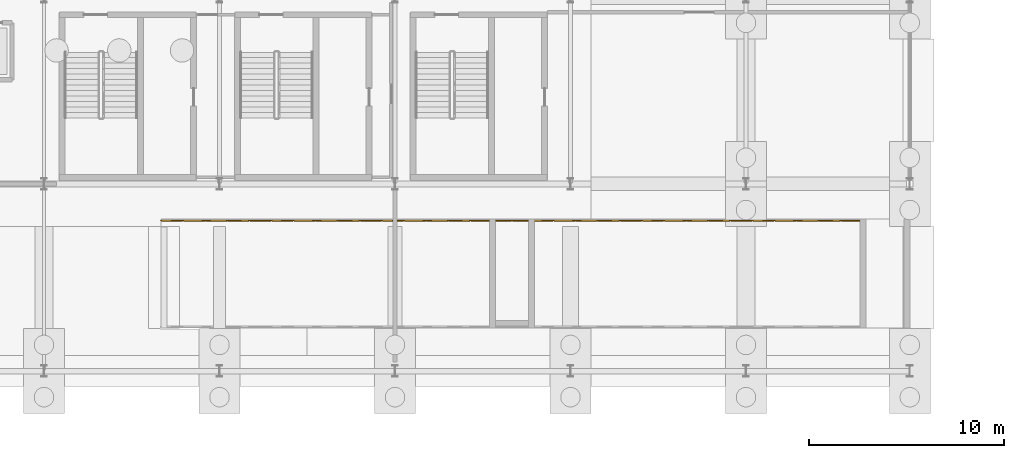
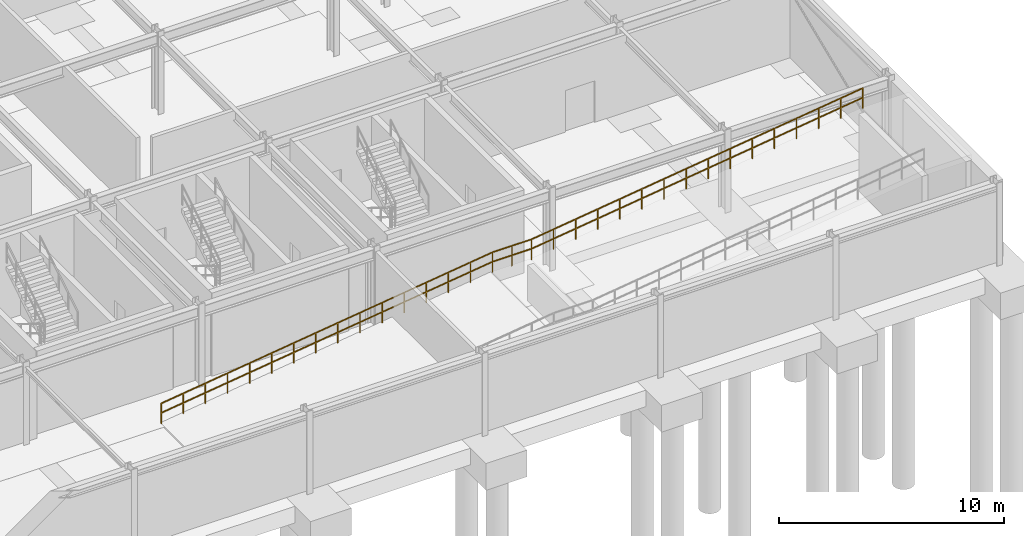
# One storey, part 55 of 59: 1 railing.
"""IFC4 building model written with IfcOpenShell, lengths in metres."""

from ifc_helpers import new_model, si_unit, direction, frame, origin, origin_2d, place, context, subcontext, project, spatial, rectangle, extrude, material, type_object, element, save


model = new_model("IFC4")

# Units and contexts
model_context = context("Model", 3, precision=1e-05, world=origin(), true_north=direction((0.0, 1.0)))
body_context = subcontext(model_context, "Body", "Model", "MODEL_VIEW")
ifc_project = project(units=[si_unit("LENGTHUNIT", "METRE"), si_unit("AREAUNIT", "SQUARE_METRE"), si_unit("VOLUMEUNIT", "CUBIC_METRE"), si_unit("PLANEANGLEUNIT", "RADIAN"), si_unit("MASSUNIT", "GRAM", prefix="KILO")], contexts=[model_context])

# Site, building, storey
site_placement = place(None, origin())
site = spatial("IfcSite", under=ifc_project, at=site_placement, CompositionType="ELEMENT")
building_placement = place(site_placement, origin())
building = spatial("IfcBuilding", under=site, at=building_placement, Name="Myrtia Square Station", CompositionType="ELEMENT")
storey_placement = place(building_placement, frame((0.0, 0.0, -4.5)))
storey = spatial("IfcBuildingStorey", under=building, at=storey_placement, Name="B01", CompositionType="ELEMENT", Elevation=-4.5)

# Railing
ifc_material = material(Name="Wrought iron", Category="steel")
railing_type = type_object("IfcRailingType", Name="RL-INT-GUARD-1100", PredefinedType="BALUSTRADE", material=ifc_material)
railing_placement = place(storey_placement, frame((141.0, 7.719970703125, 0.0)))
element("IfcRailing", 1, at=railing_placement, inside=storey, type_object=railing_type, Name="Vehicle ramp VR1 side guard N", PredefinedType="BALUSTRADE", context=body_context, shape_type="SweptSolid", body=[
    extrude(rectangle(XDim=0.048095703125, YDim=0.048095703125, at=origin_2d()), frame((0.034423828125, 0.0, 1.1005859375), z_axis=(0.99135476599, 0.0, 0.131208719028), x_axis=(0.0, 1.0, 0.0)), (0.0, 0.0, 1.0), 1.073974609375),
    extrude(rectangle(XDim=0.048095703125, YDim=0.048095703125, at=origin_2d()), frame((0.034423828125, 0.0, 0.5869140625), z_axis=(0.99135476599, 0.0, 0.131208719028), x_axis=(0.0, 1.0, 0.0)), (0.0, 0.0, 1.0), 1.073974609375),
    extrude(rectangle(XDim=0.048095703125, YDim=0.048095703125, at=origin_2d()), frame((1.167724609375, 0.0, 1.250732421875), z_axis=(0.99135476599, 0.0, 0.131208719028), x_axis=(0.0, 1.0, 0.0)), (0.0, 0.0, 1.0), 1.073974609375),
    extrude(rectangle(XDim=0.048095703125, YDim=0.048095703125, at=origin_2d()), frame((1.167724609375, 0.0, 0.737060546875), z_axis=(0.99135476599, 0.0, 0.131208719028), x_axis=(0.0, 1.0, 0.0)), (0.0, 0.0, 1.0), 1.073974609375),
    extrude(rectangle(XDim=0.048095703125, YDim=0.048095703125, at=origin_2d()), frame((2.301025390625, 0.0, 1.400634765625), z_axis=(0.99135476599, 0.0, 0.131208719028), x_axis=(0.0, 1.0, 0.0)), (0.0, 0.0, 1.0), 1.073974609375),
    extrude(rectangle(XDim=0.048095703125, YDim=0.048095703125, at=origin_2d()), frame((2.301025390625, 0.0, 0.886962890625), z_axis=(0.99135476599, 0.0, 0.131208719028), x_axis=(0.0, 1.0, 0.0)), (0.0, 0.0, 1.0), 1.073974609375),
    extrude(rectangle(XDim=0.048095703125, YDim=0.048095703125, at=origin_2d()), frame((3.434326171875, 0.0, 1.550537109375), z_axis=(0.99135476599, 0.0, 0.131208719028), x_axis=(0.0, 1.0, 0.0)), (0.0, 0.0, 1.0), 1.073974609375),
    extrude(rectangle(XDim=0.048095703125, YDim=0.048095703125, at=origin_2d()), frame((3.434326171875, 0.0, 1.037109375), z_axis=(0.99135476599, 0.0, 0.131208719028), x_axis=(0.0, 1.0, 0.0)), (0.0, 0.0, 1.0), 1.073974609375),
    extrude(rectangle(XDim=0.048095703125, YDim=0.048095703125, at=origin_2d()), frame((4.567626953125, 0.0, 1.70068359375), z_axis=(0.99135476599, 0.0, 0.131208719028), x_axis=(0.0, 1.0, 0.0)), (0.0, 0.0, 1.0), 1.073974609375),
    extrude(rectangle(XDim=0.048095703125, YDim=0.048095703125, at=origin_2d()), frame((4.567626953125, 0.0, 1.18701171875), z_axis=(0.99135476599, 0.0, 0.131208719028), x_axis=(0.0, 1.0, 0.0)), (0.0, 0.0, 1.0), 1.073974609375),
    extrude(rectangle(XDim=0.048095703125, YDim=0.048095703125, at=origin_2d()), frame((5.700927734375, 0.0, 1.8505859375), z_axis=(0.99135476599, 0.0, 0.131208719028), x_axis=(0.0, 1.0, 0.0)), (0.0, 0.0, 1.0), 1.073974609375),
    extrude(rectangle(XDim=0.048095703125, YDim=0.048095703125, at=origin_2d()), frame((5.700927734375, 0.0, 1.3369140625), z_axis=(0.99135476599, 0.0, 0.131208719028), x_axis=(0.0, 1.0, 0.0)), (0.0, 0.0, 1.0), 1.073974609375),
    extrude(rectangle(XDim=0.048095703125, YDim=0.048095703125, at=origin_2d()), frame((6.834228515625, 0.0, 2.000732421875), z_axis=(0.99135476599, 0.0, 0.131208719028), x_axis=(0.0, 1.0, 0.0)), (0.0, 0.0, 1.0), 1.073974609375),
    extrude(rectangle(XDim=0.048095703125, YDim=0.048095703125, at=origin_2d()), frame((6.834228515625, 0.0, 1.487060546875), z_axis=(0.99135476599, 0.0, 0.131208719028), x_axis=(0.0, 1.0, 0.0)), (0.0, 0.0, 1.0), 1.073974609375),
    extrude(rectangle(XDim=0.048095703125, YDim=0.048095703125, at=origin_2d()), frame((7.9677734375, 0.0, 2.150634765625), z_axis=(0.99135476599, 0.0, 0.131208719028), x_axis=(0.0, 1.0, 0.0)), (0.0, 0.0, 1.0), 1.073974609375),
    extrude(rectangle(XDim=0.048095703125, YDim=0.048095703125, at=origin_2d()), frame((7.9677734375, 0.0, 1.636962890625), z_axis=(0.99135476599, 0.0, 0.131208719028), x_axis=(0.0, 1.0, 0.0)), (0.0, 0.0, 1.0), 1.073974609375),
    extrude(rectangle(XDim=0.048095703125, YDim=0.048095703125, at=origin_2d()), frame((9.10107421875, 0.0, 2.300537109375), z_axis=(0.99135476599, 0.0, 0.131208719028), x_axis=(0.0, 1.0, 0.0)), (0.0, 0.0, 1.0), 1.073974609375),
    extrude(rectangle(XDim=0.048095703125, YDim=0.048095703125, at=origin_2d()), frame((9.10107421875, 0.0, 1.787109375), z_axis=(0.99135476599, 0.0, 0.131208719028), x_axis=(0.0, 1.0, 0.0)), (0.0, 0.0, 1.0), 1.073974609375),
    extrude(rectangle(XDim=0.048095703125, YDim=0.048095703125, at=origin_2d()), frame((10.234375, 0.0, 2.45068359375), z_axis=(0.99135476599, 0.0, 0.131208719028), x_axis=(0.0, 1.0, 0.0)), (0.0, 0.0, 1.0), 1.073974609375),
    extrude(rectangle(XDim=0.048095703125, YDim=0.048095703125, at=origin_2d()), frame((10.234375, 0.0, 1.93701171875), z_axis=(0.99135476599, 0.0, 0.131208719028), x_axis=(0.0, 1.0, 0.0)), (0.0, 0.0, 1.0), 1.073974609375),
    extrude(rectangle(XDim=0.048095703125, YDim=0.048095703125, at=origin_2d()), frame((11.36767578125, 0.0, 2.6005859375), z_axis=(0.99135476599, 0.0, 0.131208719028), x_axis=(0.0, 1.0, 0.0)), (0.0, 0.0, 1.0), 1.073974609375),
    extrude(rectangle(XDim=0.048095703125, YDim=0.048095703125, at=origin_2d()), frame((11.36767578125, 0.0, 2.0869140625), z_axis=(0.99135476599, 0.0, 0.131208719028), x_axis=(0.0, 1.0, 0.0)), (0.0, 0.0, 1.0), 1.073974609375),
    extrude(rectangle(XDim=0.048095703125, YDim=0.048095703125, at=origin_2d()), frame((12.5009765625, 0.0, 2.750732421875), z_axis=(0.99135476599, 0.0, 0.131208719028), x_axis=(0.0, 1.0, 0.0)), (0.0, 0.0, 1.0), 1.073974609375),
    extrude(rectangle(XDim=0.048095703125, YDim=0.048095703125, at=origin_2d()), frame((12.5009765625, 0.0, 2.237060546875), z_axis=(0.99135476599, 0.0, 0.131208719028), x_axis=(0.0, 1.0, 0.0)), (0.0, 0.0, 1.0), 1.073974609375),
    extrude(rectangle(XDim=0.048095703125, YDim=0.048095703125, at=origin_2d()), frame((13.63427734375, 0.0, 2.900634765625), z_axis=(0.99135476599, 0.0, 0.131208719028), x_axis=(0.0, 1.0, 0.0)), (0.0, 0.0, 1.0), 1.073974609375),
    extrude(rectangle(XDim=0.048095703125, YDim=0.048095703125, at=origin_2d()), frame((13.63427734375, 0.0, 2.386962890625), z_axis=(0.99135476599, 0.0, 0.131208719028), x_axis=(0.0, 1.0, 0.0)), (0.0, 0.0, 1.0), 1.073974609375),
    extrude(rectangle(XDim=0.048095703125, YDim=0.048095703125, at=origin_2d()), frame((14.767578125, 0.0, 3.050537109375), z_axis=(0.99135476599, 0.0, 0.131208719028), x_axis=(0.0, 1.0, 0.0)), (0.0, 0.0, 1.0), 1.073974609375),
    extrude(rectangle(XDim=0.048095703125, YDim=0.048095703125, at=origin_2d()), frame((14.767578125, 0.0, 2.537109375), z_axis=(0.99135476599, 0.0, 0.131208719028), x_axis=(0.0, 1.0, 0.0)), (0.0, 0.0, 1.0), 1.073974609375),
    extrude(rectangle(XDim=0.048095703125, YDim=0.048095703125, at=origin_2d()), frame((15.901123046875, 0.0, 3.20068359375), z_axis=(0.99135476599, 0.0, 0.131208719028), x_axis=(0.0, 1.0, 0.0)), (0.0, 0.0, 1.0), 1.073974609375),
    extrude(rectangle(XDim=0.048095703125, YDim=0.048095703125, at=origin_2d()), frame((15.901123046875, 0.0, 2.68701171875), z_axis=(0.99135476599, 0.0, 0.131208719028), x_axis=(0.0, 1.0, 0.0)), (0.0, 0.0, 1.0), 1.073974609375),
    extrude(rectangle(XDim=0.048095703125, YDim=0.048095703125, at=origin_2d()), frame((17.03466796875, 0.0, 3.34619140625), z_axis=(1.0, 0.0, 0.0), x_axis=(0.0, 1.0, 0.0)), (0.0, 0.0, 1.0), 0.9306640625),
    extrude(rectangle(XDim=0.048095703125, YDim=0.048095703125, at=origin_2d()), frame((17.03466796875, 0.0, 2.83251953125), z_axis=(1.0, 0.0, 0.0), x_axis=(0.0, 1.0, 0.0)), (0.0, 0.0, 1.0), 0.9306640625),
    extrude(rectangle(XDim=0.048095703125, YDim=0.048095703125, at=origin_2d()), frame((18.03466796875, 0.0, 3.34619140625), z_axis=(1.0, 0.0, 0.0), x_axis=(0.0, 1.0, 0.0)), (0.0, 0.0, 1.0), 0.9306640625),
    extrude(rectangle(XDim=0.048095703125, YDim=0.048095703125, at=origin_2d()), frame((18.03466796875, 0.0, 2.83251953125), z_axis=(1.0, 0.0, 0.0), x_axis=(0.0, 1.0, 0.0)), (0.0, 0.0, 1.0), 0.9306640625),
    extrude(rectangle(XDim=0.048095703125, YDim=0.048095703125, at=origin_2d()), frame((19.034423828125, 0.0, 3.3505859375), z_axis=(0.99135476599, 0.0, 0.131208719028), x_axis=(0.0, 1.0, 0.0)), (0.0, 0.0, 1.0), 1.073974609375),
    extrude(rectangle(XDim=0.048095703125, YDim=0.048095703125, at=origin_2d()), frame((19.034423828125, 0.0, 2.8369140625), z_axis=(0.99135476599, 0.0, 0.131208719028), x_axis=(0.0, 1.0, 0.0)), (0.0, 0.0, 1.0), 1.073974609375),
    extrude(rectangle(XDim=0.048095703125, YDim=0.048095703125, at=origin_2d()), frame((20.167724609375, 0.0, 3.500732421875), z_axis=(0.99135476599, 0.0, 0.131208719028), x_axis=(0.0, 1.0, 0.0)), (0.0, 0.0, 1.0), 1.073974609375),
    extrude(rectangle(XDim=0.048095703125, YDim=0.048095703125, at=origin_2d()), frame((20.167724609375, 0.0, 2.987060546875), z_axis=(0.99135476599, 0.0, 0.131208719028), x_axis=(0.0, 1.0, 0.0)), (0.0, 0.0, 1.0), 1.073974609375),
    extrude(rectangle(XDim=0.048095703125, YDim=0.048095703125, at=origin_2d()), frame((21.301025390625, 0.0, 3.650634765625), z_axis=(0.99135476599, 0.0, 0.131208719028), x_axis=(0.0, 1.0, 0.0)), (0.0, 0.0, 1.0), 1.073974609375),
    extrude(rectangle(XDim=0.048095703125, YDim=0.048095703125, at=origin_2d()), frame((21.301025390625, 0.0, 3.136962890625), z_axis=(0.99135476599, 0.0, 0.131208719028), x_axis=(0.0, 1.0, 0.0)), (0.0, 0.0, 1.0), 1.073974609375),
    extrude(rectangle(XDim=0.048095703125, YDim=0.048095703125, at=origin_2d()), frame((22.434326171875, 0.0, 3.800537109375), z_axis=(0.99135476599, 0.0, 0.131208719028), x_axis=(0.0, 1.0, 0.0)), (0.0, 0.0, 1.0), 1.073974609375),
    extrude(rectangle(XDim=0.048095703125, YDim=0.048095703125, at=origin_2d()), frame((22.434326171875, 0.0, 3.287109375), z_axis=(0.99135476599, 0.0, 0.131208719028), x_axis=(0.0, 1.0, 0.0)), (0.0, 0.0, 1.0), 1.073974609375),
    extrude(rectangle(XDim=0.048095703125, YDim=0.048095703125, at=origin_2d()), frame((23.567626953125, 0.0, 3.95068359375), z_axis=(0.99135476599, 0.0, 0.131208719028), x_axis=(0.0, 1.0, 0.0)), (0.0, 0.0, 1.0), 1.073974609375),
    extrude(rectangle(XDim=0.048095703125, YDim=0.048095703125, at=origin_2d()), frame((23.567626953125, 0.0, 3.43701171875), z_axis=(0.99135476599, 0.0, 0.131208719028), x_axis=(0.0, 1.0, 0.0)), (0.0, 0.0, 1.0), 1.073974609375),
    extrude(rectangle(XDim=0.048095703125, YDim=0.048095703125, at=origin_2d()), frame((24.700927734375, 0.0, 4.1005859375), z_axis=(0.99135476599, 0.0, 0.131208719028), x_axis=(0.0, 1.0, 0.0)), (0.0, 0.0, 1.0), 1.073974609375),
    extrude(rectangle(XDim=0.048095703125, YDim=0.048095703125, at=origin_2d()), frame((24.700927734375, 0.0, 3.5869140625), z_axis=(0.99135476599, 0.0, 0.131208719028), x_axis=(0.0, 1.0, 0.0)), (0.0, 0.0, 1.0), 1.073974609375),
    extrude(rectangle(XDim=0.048095703125, YDim=0.048095703125, at=origin_2d()), frame((25.834228515625, 0.0, 4.250732421875), z_axis=(0.99135476599, 0.0, 0.131208719028), x_axis=(0.0, 1.0, 0.0)), (0.0, 0.0, 1.0), 1.073974609375),
    extrude(rectangle(XDim=0.048095703125, YDim=0.048095703125, at=origin_2d()), frame((25.834228515625, 0.0, 3.737060546875), z_axis=(0.99135476599, 0.0, 0.131208719028), x_axis=(0.0, 1.0, 0.0)), (0.0, 0.0, 1.0), 1.073974609375),
    extrude(rectangle(XDim=0.048095703125, YDim=0.048095703125, at=origin_2d()), frame((26.9677734375, 0.0, 4.400634765625), z_axis=(0.99135476599, 0.0, 0.131208719028), x_axis=(0.0, 1.0, 0.0)), (0.0, 0.0, 1.0), 1.073974609375),
    extrude(rectangle(XDim=0.048095703125, YDim=0.048095703125, at=origin_2d()), frame((26.9677734375, 0.0, 3.886962890625), z_axis=(0.99135476599, 0.0, 0.131208719028), x_axis=(0.0, 1.0, 0.0)), (0.0, 0.0, 1.0), 1.073974609375),
    extrude(rectangle(XDim=0.048095703125, YDim=0.048095703125, at=origin_2d()), frame((28.10107421875, 0.0, 4.550537109375), z_axis=(0.99135476599, 0.0, 0.131208719028), x_axis=(0.0, 1.0, 0.0)), (0.0, 0.0, 1.0), 1.073974609375),
    extrude(rectangle(XDim=0.048095703125, YDim=0.048095703125, at=origin_2d()), frame((28.10107421875, 0.0, 4.037109375), z_axis=(0.99135476599, 0.0, 0.131208719028), x_axis=(0.0, 1.0, 0.0)), (0.0, 0.0, 1.0), 1.073974609375),
    extrude(rectangle(XDim=0.048095703125, YDim=0.048095703125, at=origin_2d()), frame((29.234375, 0.0, 4.70068359375), z_axis=(0.99135476599, 0.0, 0.131208719028), x_axis=(0.0, 1.0, 0.0)), (0.0, 0.0, 1.0), 1.073974609375),
    extrude(rectangle(XDim=0.048095703125, YDim=0.048095703125, at=origin_2d()), frame((29.234375, 0.0, 4.18701171875), z_axis=(0.99135476599, 0.0, 0.131208719028), x_axis=(0.0, 1.0, 0.0)), (0.0, 0.0, 1.0), 1.073974609375),
    extrude(rectangle(XDim=0.048095703125, YDim=0.048095703125, at=origin_2d()), frame((30.36767578125, 0.0, 4.8505859375), z_axis=(0.99135476599, 0.0, 0.131208719028), x_axis=(0.0, 1.0, 0.0)), (0.0, 0.0, 1.0), 1.073974609375),
    extrude(rectangle(XDim=0.048095703125, YDim=0.048095703125, at=origin_2d()), frame((30.36767578125, 0.0, 4.3369140625), z_axis=(0.99135476599, 0.0, 0.131208719028), x_axis=(0.0, 1.0, 0.0)), (0.0, 0.0, 1.0), 1.073974609375),
    extrude(rectangle(XDim=0.048095703125, YDim=0.048095703125, at=origin_2d()), frame((31.5009765625, 0.0, 5.000732421875), z_axis=(0.99135476599, 0.0, 0.131208719028), x_axis=(0.0, 1.0, 0.0)), (0.0, 0.0, 1.0), 1.073974609375),
    extrude(rectangle(XDim=0.048095703125, YDim=0.048095703125, at=origin_2d()), frame((31.5009765625, 0.0, 4.487060546875), z_axis=(0.99135476599, 0.0, 0.131208719028), x_axis=(0.0, 1.0, 0.0)), (0.0, 0.0, 1.0), 1.073974609375),
    extrude(rectangle(XDim=0.048095703125, YDim=0.048095703125, at=origin_2d()), frame((32.63427734375, 0.0, 5.150634765625), z_axis=(0.99135476599, 0.0, 0.131208719028), x_axis=(0.0, 1.0, 0.0)), (0.0, 0.0, 1.0), 1.073974609375),
    extrude(rectangle(XDim=0.048095703125, YDim=0.048095703125, at=origin_2d()), frame((32.63427734375, 0.0, 4.636962890625), z_axis=(0.99135476599, 0.0, 0.131208719028), x_axis=(0.0, 1.0, 0.0)), (0.0, 0.0, 1.0), 1.073974609375),
    extrude(rectangle(XDim=0.048095703125, YDim=0.048095703125, at=origin_2d()), frame((33.767578125, 0.0, 5.300537109375), z_axis=(0.99135476599, 0.0, 0.131208719028), x_axis=(0.0, 1.0, 0.0)), (0.0, 0.0, 1.0), 1.073974609375),
    extrude(rectangle(XDim=0.048095703125, YDim=0.048095703125, at=origin_2d()), frame((33.767578125, 0.0, 4.787109375), z_axis=(0.99135476599, 0.0, 0.131208719028), x_axis=(0.0, 1.0, 0.0)), (0.0, 0.0, 1.0), 1.073974609375),
    extrude(rectangle(XDim=0.048095703125, YDim=0.048095703125, at=origin_2d()), frame((34.901123046875, 0.0, 5.45068359375), z_axis=(0.99135476599, 0.0, 0.131208719028), x_axis=(0.0, 1.0, 0.0)), (0.0, 0.0, 1.0), 1.073974609375),
    extrude(rectangle(XDim=0.048095703125, YDim=0.048095703125, at=origin_2d()), frame((34.901123046875, 0.0, 4.93701171875), z_axis=(0.99135476599, 0.0, 0.131208719028), x_axis=(0.0, 1.0, 0.0)), (0.0, 0.0, 1.0), 1.073974609375),
    extrude(rectangle(XDim=0.0439453125, YDim=0.0439453125, at=origin_2d()), origin(), (0.0, 0.0, 1.0), 1.1201171875),
    extrude(rectangle(XDim=0.0439453125, YDim=0.0439453125, at=origin_2d()), frame((1.13330078125, 0.0, 0.14990234375)), (0.0, 0.0, 1.0), 1.1201171875),
    extrude(rectangle(XDim=0.0439453125, YDim=0.0439453125, at=origin_2d()), frame((2.2666015625, 0.0, 0.300048828125)), (0.0, 0.0, 1.0), 1.1201171875),
    extrude(rectangle(XDim=0.0439453125, YDim=0.0439453125, at=origin_2d()), frame((3.39990234375, 0.0, 0.449951171875)), (0.0, 0.0, 1.0), 1.1201171875),
    extrude(rectangle(XDim=0.0439453125, YDim=0.0439453125, at=origin_2d()), frame((4.533447265625, 0.0, 0.60009765625)), (0.0, 0.0, 1.0), 1.1201171875),
    extrude(rectangle(XDim=0.0439453125, YDim=0.0439453125, at=origin_2d()), frame((5.666748046875, 0.0, 0.75)), (0.0, 0.0, 1.0), 1.1201171875),
    extrude(rectangle(XDim=0.0439453125, YDim=0.0439453125, at=origin_2d()), frame((6.800048828125, 0.0, 0.89990234375)), (0.0, 0.0, 1.0), 1.1201171875),
    extrude(rectangle(XDim=0.0439453125, YDim=0.0439453125, at=origin_2d()), frame((7.933349609375, 0.0, 1.050048828125)), (0.0, 0.0, 1.0), 1.1201171875),
    extrude(rectangle(XDim=0.0439453125, YDim=0.0439453125, at=origin_2d()), frame((9.066650390625, 0.0, 1.199951171875)), (0.0, 0.0, 1.0), 1.1201171875),
    extrude(rectangle(XDim=0.0439453125, YDim=0.0439453125, at=origin_2d()), frame((10.199951171875, 0.0, 1.35009765625)), (0.0, 0.0, 1.0), 1.1201171875),
    extrude(rectangle(XDim=0.0439453125, YDim=0.0439453125, at=origin_2d()), frame((11.333251953125, 0.0, 1.5)), (0.0, 0.0, 1.0), 1.1201171875),
    extrude(rectangle(XDim=0.0439453125, YDim=0.0439453125, at=origin_2d()), frame((12.466552734375, 0.0, 1.64990234375)), (0.0, 0.0, 1.0), 1.1201171875),
    extrude(rectangle(XDim=0.0439453125, YDim=0.0439453125, at=origin_2d()), frame((13.60009765625, 0.0, 1.800048828125)), (0.0, 0.0, 1.0), 1.1201171875),
    extrude(rectangle(XDim=0.0439453125, YDim=0.0439453125, at=origin_2d()), frame((14.7333984375, 0.0, 1.949951171875)), (0.0, 0.0, 1.0), 1.1201171875),
    extrude(rectangle(XDim=0.0439453125, YDim=0.0439453125, at=origin_2d()), frame((15.86669921875, 0.0, 2.10009765625)), (0.0, 0.0, 1.0), 1.1201171875),
    extrude(rectangle(XDim=0.0439453125, YDim=0.0439453125, at=origin_2d()), frame((17.0, 0.0, 2.25)), (0.0, 0.0, 1.0), 1.1201171875),
    extrude(rectangle(XDim=0.0439453125, YDim=0.0439453125, at=origin_2d()), frame((18.0, 0.0, 2.25)), (0.0, 0.0, 1.0), 1.1201171875),
    extrude(rectangle(XDim=0.0439453125, YDim=0.0439453125, at=origin_2d()), frame((19.0, 0.0, 2.25)), (0.0, 0.0, 1.0), 1.1201171875),
    extrude(rectangle(XDim=0.0439453125, YDim=0.0439453125, at=origin_2d()), frame((20.13330078125, 0.0, 2.39990234375)), (0.0, 0.0, 1.0), 1.1201171875),
    extrude(rectangle(XDim=0.0439453125, YDim=0.0439453125, at=origin_2d()), frame((21.2666015625, 0.0, 2.550048828125)), (0.0, 0.0, 1.0), 1.1201171875),
    extrude(rectangle(XDim=0.0439453125, YDim=0.0439453125, at=origin_2d()), frame((22.39990234375, 0.0, 2.699951171875)), (0.0, 0.0, 1.0), 1.1201171875),
    extrude(rectangle(XDim=0.0439453125, YDim=0.0439453125, at=origin_2d()), frame((23.533447265625, 0.0, 2.85009765625)), (0.0, 0.0, 1.0), 1.1201171875),
    extrude(rectangle(XDim=0.0439453125, YDim=0.0439453125, at=origin_2d()), frame((24.666748046875, 0.0, 3.0)), (0.0, 0.0, 1.0), 1.1201171875),
    extrude(rectangle(XDim=0.0439453125, YDim=0.0439453125, at=origin_2d()), frame((25.800048828125, 0.0, 3.14990234375)), (0.0, 0.0, 1.0), 1.1201171875),
    extrude(rectangle(XDim=0.0439453125, YDim=0.0439453125, at=origin_2d()), frame((26.933349609375, 0.0, 3.300048828125)), (0.0, 0.0, 1.0), 1.1201171875),
    extrude(rectangle(XDim=0.0439453125, YDim=0.0439453125, at=origin_2d()), frame((28.066650390625, 0.0, 3.449951171875)), (0.0, 0.0, 1.0), 1.1201171875),
    extrude(rectangle(XDim=0.0439453125, YDim=0.0439453125, at=origin_2d()), frame((29.199951171875, 0.0, 3.60009765625)), (0.0, 0.0, 1.0), 1.1201171875),
    extrude(rectangle(XDim=0.0439453125, YDim=0.0439453125, at=origin_2d()), frame((30.333251953125, 0.0, 3.75)), (0.0, 0.0, 1.0), 1.1201171875),
    extrude(rectangle(XDim=0.0439453125, YDim=0.0439453125, at=origin_2d()), frame((31.466552734375, 0.0, 3.89990234375)), (0.0, 0.0, 1.0), 1.1201171875),
    extrude(rectangle(XDim=0.0439453125, YDim=0.0439453125, at=origin_2d()), frame((32.60009765625, 0.0, 4.050048828125)), (0.0, 0.0, 1.0), 1.1201171875),
    extrude(rectangle(XDim=0.0439453125, YDim=0.0439453125, at=origin_2d()), frame((33.7333984375, 0.0, 4.199951171875)), (0.0, 0.0, 1.0), 1.1201171875),
    extrude(rectangle(XDim=0.0439453125, YDim=0.0439453125, at=origin_2d()), frame((34.86669921875, 0.0, 4.35009765625)), (0.0, 0.0, 1.0), 1.1201171875),
    extrude(rectangle(XDim=0.0439453125, YDim=0.0439453125, at=origin_2d()), frame((36.0, 0.0, 4.5)), (0.0, 0.0, 1.0), 1.1201171875),
])

save(model, "model.ifc")
